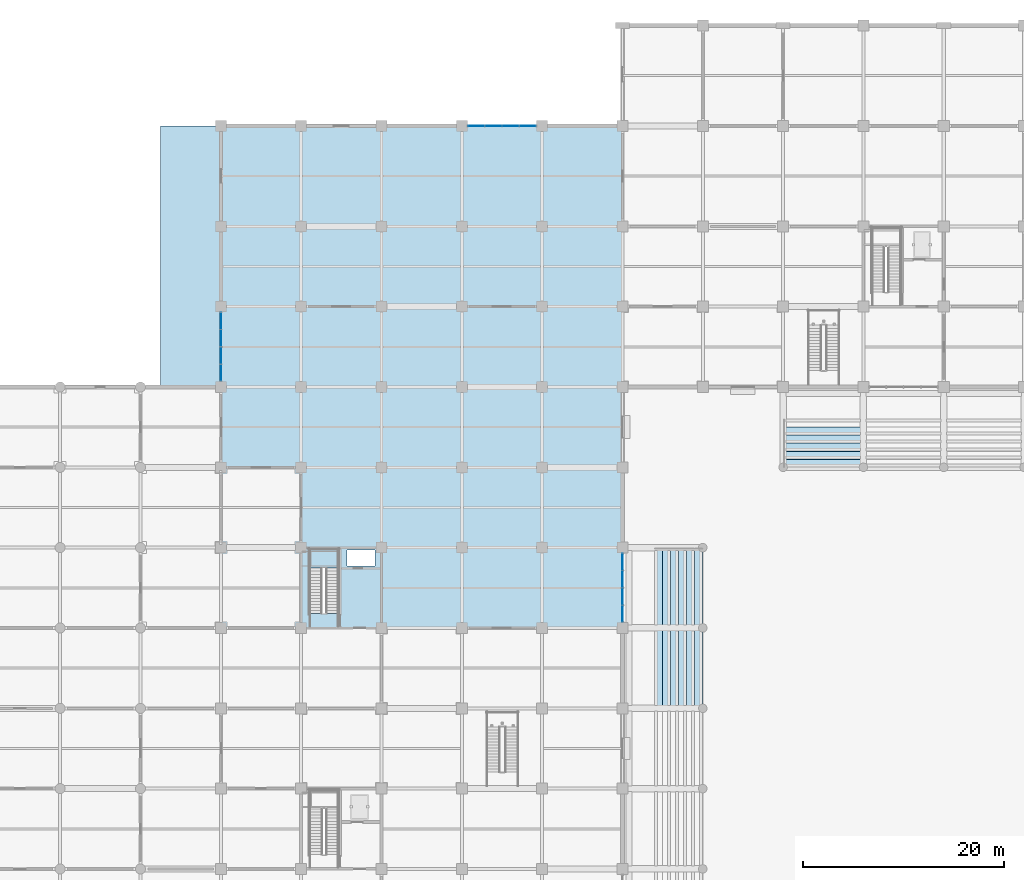
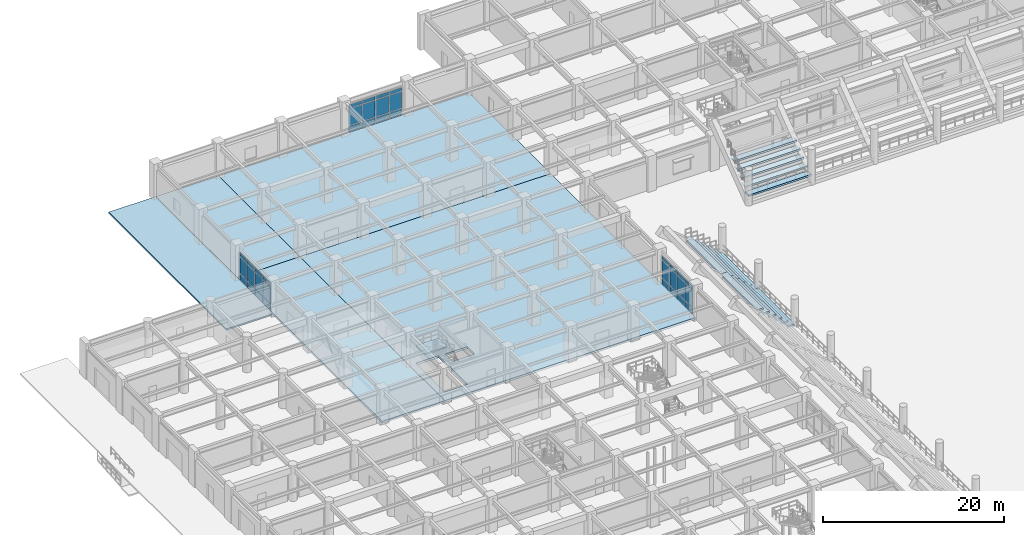
# One storey, part 68 of 125: 36 plates, 23 slabs, 4 elements without a shape of their own.
"""IFC4 building model written with IfcOpenShell, lengths in metres."""

from ifc_helpers import new_model, si_unit, direction, frame, origin, origin_2d, place, context, subcontext, project, spatial, polyline, rectangle, outline, extrude, material, layer, layer_set, type_object, element, aggregate, save


model = new_model("IFC4")

# Units and contexts
model_context = context("Model", 3, precision=1e-05, world=origin(), true_north=direction((0.0, 1.0)))
body_context = subcontext(model_context, "Body", "Model", "MODEL_VIEW")
ifc_project = project(units=[si_unit("LENGTHUNIT", "METRE"), si_unit("AREAUNIT", "SQUARE_METRE"), si_unit("VOLUMEUNIT", "CUBIC_METRE"), si_unit("PLANEANGLEUNIT", "RADIAN"), si_unit("MASSUNIT", "GRAM", prefix="KILO")], contexts=[model_context])

# Site, building, storey
site_placement = place(None, origin())
site = spatial("IfcSite", under=ifc_project, at=site_placement, CompositionType="ELEMENT")
building_placement = place(site_placement, origin())
building = spatial("IfcBuilding", under=site, at=building_placement, Name="Haebicheon Civic Stadium", CompositionType="ELEMENT")
storey_placement = place(building_placement, origin())
storey = spatial("IfcBuildingStorey", under=building, at=storey_placement, Name="L01", CompositionType="ELEMENT", Elevation=0.0)

# Curtain wall, plates
ifc_material_1 = material(Name="Anodised aluminium and laminated glass", Category="aluminium")
ifc_layer_1 = layer(ifc_material_1, 0.179931640625, Name="Anodised aluminium and laminated glass")
ifc_layer_set_1 = layer_set([ifc_layer_1], Name="Anodised aluminium and laminated glass")
curtain_wall_type_1 = type_object("IfcCurtainWallType", Name="CW-6900x3770", PredefinedType="NOTDEFINED", material=ifc_layer_set_1)
curtain_wall_1_placement = place(storey_placement, origin())
curtain_wall_1 = element("IfcCurtainWall", 1, at=curtain_wall_1_placement, inside=storey, type_object=curtain_wall_type_1, material=ifc_layer_set_1, Name="L01 unitised curtain wall 003", PredefinedType="NOTDEFINED")
ifc_material_2 = material(Name="Double low-e laminated glass", Category="glass")
ifc_layer_2 = layer(ifc_material_2, 0.028076171875, Name="Double low-e laminated glass")
ifc_layer_set_2 = layer_set([ifc_layer_2], Name="Double low-e laminated glass")
plate_type_1 = type_object("IfcPlateType", Name="CWP-GLZ-28", PredefinedType="CURTAIN_PANEL", material=ifc_layer_set_2)
plate_1_placement = place(storey_placement, frame((24.0, 153.431884765625, 0.93994140625), z_axis=(0.0, 0.0, 1.0), x_axis=(0.0, 1.0, 0.0)))
plate_1 = element("IfcPlate", 2, at=plate_1_placement, type_object=plate_type_1, material=ifc_layer_set_2, Name="CW-L01-003 vision panel 1.2", PredefinedType="CURTAIN_PANEL", context=body_context, shape_type="SweptSolid", body=[
    extrude(rectangle(XDim=1.60498046875, YDim=0.028076171875, at=origin_2d()), origin(), (0.0, 0.0, 1.0), 2.239990234375),
])
plate_2_placement = place(storey_placement, frame((24.0, 155.137939453125, 0.93994140625), z_axis=(0.0, 0.0, 1.0), x_axis=(0.0, 1.0, 0.0)))
plate_2 = element("IfcPlate", 3, at=plate_2_placement, type_object=plate_type_1, material=ifc_layer_set_2, Name="CW-L01-003 vision panel 2.2", PredefinedType="CURTAIN_PANEL", context=body_context, shape_type="SweptSolid", body=[
    extrude(rectangle(XDim=1.64501953125, YDim=0.028076171875, at=origin_2d()), origin(), (0.0, 0.0, 1.0), 2.239990234375),
])
plate_3_placement = place(storey_placement, frame((24.0, 156.862060546875, 0.93994140625), z_axis=(0.0, 0.0, 1.0), x_axis=(0.0, 1.0, 0.0)))
plate_3 = element("IfcPlate", 4, at=plate_3_placement, type_object=plate_type_1, material=ifc_layer_set_2, Name="CW-L01-003 vision panel 3.2", PredefinedType="CURTAIN_PANEL", context=body_context, shape_type="SweptSolid", body=[
    extrude(rectangle(XDim=1.64501953125, YDim=0.028076171875, at=origin_2d()), origin(), (0.0, 0.0, 1.0), 2.239990234375),
])
plate_4_placement = place(storey_placement, frame((24.0, 158.568115234375, 0.93994140625), z_axis=(0.0, 0.0, 1.0), x_axis=(0.0, 1.0, 0.0)))
plate_4 = element("IfcPlate", 5, at=plate_4_placement, type_object=plate_type_1, material=ifc_layer_set_2, Name="CW-L01-003 vision panel 4.2", PredefinedType="CURTAIN_PANEL", context=body_context, shape_type="SweptSolid", body=[
    extrude(rectangle(XDim=1.60498046875, YDim=0.028076171875, at=origin_2d()), origin(), (0.0, 0.0, 1.0), 2.239990234375),
])

curtain_wall_2_placement = place(storey_placement, origin())
curtain_wall_2 = element("IfcCurtainWall", 6, at=curtain_wall_2_placement, inside=storey, type_object=curtain_wall_type_1, material=ifc_layer_set_1, Name="L01 unitised curtain wall 004", PredefinedType="NOTDEFINED")
plate_5_placement = place(storey_placement, frame((49.431884765625, 178.0, 0.93994140625), z_axis=(0.0, 0.0, 1.0), x_axis=(1.0, 0.0, 0.0)))
plate_5 = element("IfcPlate", 7, at=plate_5_placement, type_object=plate_type_1, material=ifc_layer_set_2, Name="CW-L01-004 vision panel 1.2", PredefinedType="CURTAIN_PANEL", context=body_context, shape_type="SweptSolid", body=[
    extrude(rectangle(XDim=1.60498046875, YDim=0.028076171875, at=origin_2d()), origin(), (0.0, 0.0, 1.0), 2.239990234375),
])
plate_6_placement = place(storey_placement, frame((51.136962890625, 178.0, 0.93994140625), z_axis=(0.0, 0.0, 1.0), x_axis=(1.0, 0.0, 0.0)))
plate_6 = element("IfcPlate", 8, at=plate_6_placement, type_object=plate_type_1, material=ifc_layer_set_2, Name="CW-L01-004 vision panel 2.2", PredefinedType="CURTAIN_PANEL", context=body_context, shape_type="SweptSolid", body=[
    extrude(rectangle(XDim=1.64501953125, YDim=0.028076171875, at=origin_2d()), origin(), (0.0, 0.0, 1.0), 2.239990234375),
])
plate_7_placement = place(storey_placement, frame((52.862060546875, 178.0, 0.93994140625), z_axis=(0.0, 0.0, 1.0), x_axis=(1.0, 0.0, 0.0)))
plate_7 = element("IfcPlate", 9, at=plate_7_placement, type_object=plate_type_1, material=ifc_layer_set_2, Name="CW-L01-004 vision panel 3.2", PredefinedType="CURTAIN_PANEL", context=body_context, shape_type="SweptSolid", body=[
    extrude(rectangle(XDim=1.64501953125, YDim=0.028076171875, at=origin_2d()), origin(), (0.0, 0.0, 1.0), 2.239990234375),
])
plate_8_placement = place(storey_placement, frame((54.568115234375, 178.0, 0.93994140625), z_axis=(0.0, 0.0, 1.0), x_axis=(1.0, 0.0, 0.0)))
plate_8 = element("IfcPlate", 10, at=plate_8_placement, type_object=plate_type_1, material=ifc_layer_set_2, Name="CW-L01-004 vision panel 4.2", PredefinedType="CURTAIN_PANEL", context=body_context, shape_type="SweptSolid", body=[
    extrude(rectangle(XDim=1.60498046875, YDim=0.028076171875, at=origin_2d()), origin(), (0.0, 0.0, 1.0), 2.239990234375),
])

ifc_material_3 = material(Name="Anodised aluminium and laminated glass", Category="aluminium")
ifc_layer_3 = layer(ifc_material_3, 0.179931640625, Name="Anodised aluminium and laminated glass")
ifc_layer_set_3 = layer_set([ifc_layer_3], Name="Anodised aluminium and laminated glass")
curtain_wall_type_2 = type_object("IfcCurtainWallType", Name="CW-6900x3870", PredefinedType="NOTDEFINED", material=ifc_layer_set_3)
curtain_wall_3_placement = place(storey_placement, origin())
curtain_wall_3 = element("IfcCurtainWall", 11, at=curtain_wall_3_placement, inside=storey, type_object=curtain_wall_type_2, material=ifc_layer_set_3, Name="L01 unitised curtain wall 008", PredefinedType="NOTDEFINED")
plate_9_placement = place(storey_placement, frame((64.0, 129.431884765625, 0.93994140625), z_axis=(0.0, 0.0, 1.0), x_axis=(0.0, 1.0, 0.0)))
plate_9 = element("IfcPlate", 12, at=plate_9_placement, type_object=plate_type_1, material=ifc_layer_set_2, Name="CW-L01-008 vision panel 1.2", PredefinedType="CURTAIN_PANEL", context=body_context, shape_type="SweptSolid", body=[
    extrude(rectangle(XDim=1.60498046875, YDim=0.028076171875, at=origin_2d()), origin(), (0.0, 0.0, 1.0), 2.340087890625),
])
plate_10_placement = place(storey_placement, frame((64.0, 131.137939453125, 0.93994140625), z_axis=(0.0, 0.0, 1.0), x_axis=(0.0, 1.0, 0.0)))
plate_10 = element("IfcPlate", 13, at=plate_10_placement, type_object=plate_type_1, material=ifc_layer_set_2, Name="CW-L01-008 vision panel 2.2", PredefinedType="CURTAIN_PANEL", context=body_context, shape_type="SweptSolid", body=[
    extrude(rectangle(XDim=1.64501953125, YDim=0.028076171875, at=origin_2d()), origin(), (0.0, 0.0, 1.0), 2.340087890625),
])
plate_11_placement = place(storey_placement, frame((64.0, 132.862060546875, 0.93994140625), z_axis=(0.0, 0.0, 1.0), x_axis=(0.0, 1.0, 0.0)))
plate_11 = element("IfcPlate", 14, at=plate_11_placement, type_object=plate_type_1, material=ifc_layer_set_2, Name="CW-L01-008 vision panel 3.2", PredefinedType="CURTAIN_PANEL", context=body_context, shape_type="SweptSolid", body=[
    extrude(rectangle(XDim=1.64501953125, YDim=0.028076171875, at=origin_2d()), origin(), (0.0, 0.0, 1.0), 2.340087890625),
])
plate_12_placement = place(storey_placement, frame((64.0, 134.568115234375, 0.93994140625), z_axis=(0.0, 0.0, 1.0), x_axis=(0.0, 1.0, 0.0)))
plate_12 = element("IfcPlate", 15, at=plate_12_placement, type_object=plate_type_1, material=ifc_layer_set_2, Name="CW-L01-008 vision panel 4.2", PredefinedType="CURTAIN_PANEL", context=body_context, shape_type="SweptSolid", body=[
    extrude(rectangle(XDim=1.60498046875, YDim=0.028076171875, at=origin_2d()), origin(), (0.0, 0.0, 1.0), 2.340087890625),
])

# Plate
ifc_material_4 = material(Name="Anodised aluminium 6063-T6", Category="aluminium")
ifc_layer_4 = layer(ifc_material_4, 0.0439453125, Name="Anodised aluminium 6063-T6")
ifc_layer_set_4 = layer_set([ifc_layer_4], Name="Anodised aluminium 6063-T6")
plate_type_2 = type_object("IfcPlateType", Name="CWP-SPD-44", PredefinedType="CURTAIN_PANEL", material=ifc_layer_set_4)
plate_13_placement = place(storey_placement, frame((24.0, 153.431884765625, 0.0400390625), z_axis=(0.0, 0.0, 1.0), x_axis=(0.0, 1.0, 0.0)))
plate_13 = element("IfcPlate", 16, at=plate_13_placement, type_object=plate_type_2, material=ifc_layer_set_4, Name="CW-L01-003 spandrel panel 1.1", PredefinedType="CURTAIN_PANEL", context=body_context, shape_type="SweptSolid", body=[
    extrude(rectangle(XDim=1.60498046875, YDim=0.0439453125, at=origin_2d()), origin(), (0.0, 0.0, 1.0), 0.820068359375),
])

plate_14_placement = place(storey_placement, frame((24.0, 153.431884765625, 3.26025390625), z_axis=(0.0, 0.0, 1.0), x_axis=(0.0, 1.0, 0.0)))
plate_14 = element("IfcPlate", 17, at=plate_14_placement, type_object=plate_type_2, material=ifc_layer_set_4, Name="CW-L01-003 spandrel panel 1.3", PredefinedType="CURTAIN_PANEL", context=body_context, shape_type="SweptSolid", body=[
    extrude(rectangle(XDim=1.60498046875, YDim=0.0439453125, at=origin_2d()), origin(), (0.0, 0.0, 1.0), 0.469970703125),
])

plate_15_placement = place(storey_placement, frame((24.0, 155.137939453125, 0.0400390625), z_axis=(0.0, 0.0, 1.0), x_axis=(0.0, 1.0, 0.0)))
plate_15 = element("IfcPlate", 18, at=plate_15_placement, type_object=plate_type_2, material=ifc_layer_set_4, Name="CW-L01-003 spandrel panel 2.1", PredefinedType="CURTAIN_PANEL", context=body_context, shape_type="SweptSolid", body=[
    extrude(rectangle(XDim=1.64501953125, YDim=0.0439453125, at=origin_2d()), origin(), (0.0, 0.0, 1.0), 0.820068359375),
])

plate_16_placement = place(storey_placement, frame((24.0, 155.137939453125, 3.26025390625), z_axis=(0.0, 0.0, 1.0), x_axis=(0.0, 1.0, 0.0)))
plate_16 = element("IfcPlate", 19, at=plate_16_placement, type_object=plate_type_2, material=ifc_layer_set_4, Name="CW-L01-003 spandrel panel 2.3", PredefinedType="CURTAIN_PANEL", context=body_context, shape_type="SweptSolid", body=[
    extrude(rectangle(XDim=1.64501953125, YDim=0.0439453125, at=origin_2d()), origin(), (0.0, 0.0, 1.0), 0.469970703125),
])

plate_17_placement = place(storey_placement, frame((24.0, 156.862060546875, 0.0400390625), z_axis=(0.0, 0.0, 1.0), x_axis=(0.0, 1.0, 0.0)))
plate_17 = element("IfcPlate", 20, at=plate_17_placement, type_object=plate_type_2, material=ifc_layer_set_4, Name="CW-L01-003 spandrel panel 3.1", PredefinedType="CURTAIN_PANEL", context=body_context, shape_type="SweptSolid", body=[
    extrude(rectangle(XDim=1.64501953125, YDim=0.0439453125, at=origin_2d()), origin(), (0.0, 0.0, 1.0), 0.820068359375),
])

plate_18_placement = place(storey_placement, frame((24.0, 156.862060546875, 3.26025390625), z_axis=(0.0, 0.0, 1.0), x_axis=(0.0, 1.0, 0.0)))
plate_18 = element("IfcPlate", 21, at=plate_18_placement, type_object=plate_type_2, material=ifc_layer_set_4, Name="CW-L01-003 spandrel panel 3.3", PredefinedType="CURTAIN_PANEL", context=body_context, shape_type="SweptSolid", body=[
    extrude(rectangle(XDim=1.64501953125, YDim=0.0439453125, at=origin_2d()), origin(), (0.0, 0.0, 1.0), 0.469970703125),
])

plate_19_placement = place(storey_placement, frame((24.0, 158.568115234375, 0.0400390625), z_axis=(0.0, 0.0, 1.0), x_axis=(0.0, 1.0, 0.0)))
plate_19 = element("IfcPlate", 22, at=plate_19_placement, type_object=plate_type_2, material=ifc_layer_set_4, Name="CW-L01-003 spandrel panel 4.1", PredefinedType="CURTAIN_PANEL", context=body_context, shape_type="SweptSolid", body=[
    extrude(rectangle(XDim=1.60498046875, YDim=0.0439453125, at=origin_2d()), origin(), (0.0, 0.0, 1.0), 0.820068359375),
])

plate_20_placement = place(storey_placement, frame((24.0, 158.568115234375, 3.26025390625), z_axis=(0.0, 0.0, 1.0), x_axis=(0.0, 1.0, 0.0)))
plate_20 = element("IfcPlate", 23, at=plate_20_placement, type_object=plate_type_2, material=ifc_layer_set_4, Name="CW-L01-003 spandrel panel 4.3", PredefinedType="CURTAIN_PANEL", context=body_context, shape_type="SweptSolid", body=[
    extrude(rectangle(XDim=1.60498046875, YDim=0.0439453125, at=origin_2d()), origin(), (0.0, 0.0, 1.0), 0.469970703125),
])

aggregate(curtain_wall_1, [plate_13, plate_1, plate_14, plate_15, plate_2, plate_16, plate_17, plate_3, plate_18, plate_19, plate_4, plate_20])

plate_21_placement = place(storey_placement, frame((49.431884765625, 178.0, 0.0400390625), z_axis=(0.0, 0.0, 1.0), x_axis=(1.0, 0.0, 0.0)))
plate_21 = element("IfcPlate", 24, at=plate_21_placement, type_object=plate_type_2, material=ifc_layer_set_4, Name="CW-L01-004 spandrel panel 1.1", PredefinedType="CURTAIN_PANEL", context=body_context, shape_type="SweptSolid", body=[
    extrude(rectangle(XDim=1.60498046875, YDim=0.0439453125, at=origin_2d()), origin(), (0.0, 0.0, 1.0), 0.820068359375),
])

plate_22_placement = place(storey_placement, frame((49.431884765625, 178.0, 3.26025390625), z_axis=(0.0, 0.0, 1.0), x_axis=(1.0, 0.0, 0.0)))
plate_22 = element("IfcPlate", 25, at=plate_22_placement, type_object=plate_type_2, material=ifc_layer_set_4, Name="CW-L01-004 spandrel panel 1.3", PredefinedType="CURTAIN_PANEL", context=body_context, shape_type="SweptSolid", body=[
    extrude(rectangle(XDim=1.60498046875, YDim=0.0439453125, at=origin_2d()), origin(), (0.0, 0.0, 1.0), 0.469970703125),
])

plate_23_placement = place(storey_placement, frame((51.136962890625, 178.0, 0.0400390625), z_axis=(0.0, 0.0, 1.0), x_axis=(1.0, 0.0, 0.0)))
plate_23 = element("IfcPlate", 26, at=plate_23_placement, type_object=plate_type_2, material=ifc_layer_set_4, Name="CW-L01-004 spandrel panel 2.1", PredefinedType="CURTAIN_PANEL", context=body_context, shape_type="SweptSolid", body=[
    extrude(rectangle(XDim=1.64501953125, YDim=0.0439453125, at=origin_2d()), origin(), (0.0, 0.0, 1.0), 0.820068359375),
])

plate_24_placement = place(storey_placement, frame((51.136962890625, 178.0, 3.26025390625), z_axis=(0.0, 0.0, 1.0), x_axis=(1.0, 0.0, 0.0)))
plate_24 = element("IfcPlate", 27, at=plate_24_placement, type_object=plate_type_2, material=ifc_layer_set_4, Name="CW-L01-004 spandrel panel 2.3", PredefinedType="CURTAIN_PANEL", context=body_context, shape_type="SweptSolid", body=[
    extrude(rectangle(XDim=1.64501953125, YDim=0.0439453125, at=origin_2d()), origin(), (0.0, 0.0, 1.0), 0.469970703125),
])

plate_25_placement = place(storey_placement, frame((52.862060546875, 178.0, 0.0400390625), z_axis=(0.0, 0.0, 1.0), x_axis=(1.0, 0.0, 0.0)))
plate_25 = element("IfcPlate", 28, at=plate_25_placement, type_object=plate_type_2, material=ifc_layer_set_4, Name="CW-L01-004 spandrel panel 3.1", PredefinedType="CURTAIN_PANEL", context=body_context, shape_type="SweptSolid", body=[
    extrude(rectangle(XDim=1.64501953125, YDim=0.0439453125, at=origin_2d()), origin(), (0.0, 0.0, 1.0), 0.820068359375),
])

plate_26_placement = place(storey_placement, frame((52.862060546875, 178.0, 3.26025390625), z_axis=(0.0, 0.0, 1.0), x_axis=(1.0, 0.0, 0.0)))
plate_26 = element("IfcPlate", 29, at=plate_26_placement, type_object=plate_type_2, material=ifc_layer_set_4, Name="CW-L01-004 spandrel panel 3.3", PredefinedType="CURTAIN_PANEL", context=body_context, shape_type="SweptSolid", body=[
    extrude(rectangle(XDim=1.64501953125, YDim=0.0439453125, at=origin_2d()), origin(), (0.0, 0.0, 1.0), 0.469970703125),
])

plate_27_placement = place(storey_placement, frame((54.568115234375, 178.0, 0.0400390625), z_axis=(0.0, 0.0, 1.0), x_axis=(1.0, 0.0, 0.0)))
plate_27 = element("IfcPlate", 30, at=plate_27_placement, type_object=plate_type_2, material=ifc_layer_set_4, Name="CW-L01-004 spandrel panel 4.1", PredefinedType="CURTAIN_PANEL", context=body_context, shape_type="SweptSolid", body=[
    extrude(rectangle(XDim=1.60498046875, YDim=0.0439453125, at=origin_2d()), origin(), (0.0, 0.0, 1.0), 0.820068359375),
])

plate_28_placement = place(storey_placement, frame((54.568115234375, 178.0, 3.26025390625), z_axis=(0.0, 0.0, 1.0), x_axis=(1.0, 0.0, 0.0)))
plate_28 = element("IfcPlate", 31, at=plate_28_placement, type_object=plate_type_2, material=ifc_layer_set_4, Name="CW-L01-004 spandrel panel 4.3", PredefinedType="CURTAIN_PANEL", context=body_context, shape_type="SweptSolid", body=[
    extrude(rectangle(XDim=1.60498046875, YDim=0.0439453125, at=origin_2d()), origin(), (0.0, 0.0, 1.0), 0.469970703125),
])

aggregate(curtain_wall_2, [plate_21, plate_5, plate_22, plate_23, plate_6, plate_24, plate_25, plate_7, plate_26, plate_27, plate_8, plate_28])

plate_29_placement = place(storey_placement, frame((64.0, 129.431884765625, 0.0400390625), z_axis=(0.0, 0.0, 1.0), x_axis=(0.0, 1.0, 0.0)))
plate_29 = element("IfcPlate", 32, at=plate_29_placement, type_object=plate_type_2, material=ifc_layer_set_4, Name="CW-L01-008 spandrel panel 1.1", PredefinedType="CURTAIN_PANEL", context=body_context, shape_type="SweptSolid", body=[
    extrude(rectangle(XDim=1.60498046875, YDim=0.0439453125, at=origin_2d()), origin(), (0.0, 0.0, 1.0), 0.820068359375),
])

plate_30_placement = place(storey_placement, frame((64.0, 129.431884765625, 3.35986328125), z_axis=(0.0, 0.0, 1.0), x_axis=(0.0, 1.0, 0.0)))
plate_30 = element("IfcPlate", 33, at=plate_30_placement, type_object=plate_type_2, material=ifc_layer_set_4, Name="CW-L01-008 spandrel panel 1.3", PredefinedType="CURTAIN_PANEL", context=body_context, shape_type="SweptSolid", body=[
    extrude(rectangle(XDim=1.60498046875, YDim=0.0439453125, at=origin_2d()), origin(), (0.0, 0.0, 1.0), 0.469970703125),
])

plate_31_placement = place(storey_placement, frame((64.0, 131.137939453125, 0.0400390625), z_axis=(0.0, 0.0, 1.0), x_axis=(0.0, 1.0, 0.0)))
plate_31 = element("IfcPlate", 34, at=plate_31_placement, type_object=plate_type_2, material=ifc_layer_set_4, Name="CW-L01-008 spandrel panel 2.1", PredefinedType="CURTAIN_PANEL", context=body_context, shape_type="SweptSolid", body=[
    extrude(rectangle(XDim=1.64501953125, YDim=0.0439453125, at=origin_2d()), origin(), (0.0, 0.0, 1.0), 0.820068359375),
])

plate_32_placement = place(storey_placement, frame((64.0, 131.137939453125, 3.35986328125), z_axis=(0.0, 0.0, 1.0), x_axis=(0.0, 1.0, 0.0)))
plate_32 = element("IfcPlate", 35, at=plate_32_placement, type_object=plate_type_2, material=ifc_layer_set_4, Name="CW-L01-008 spandrel panel 2.3", PredefinedType="CURTAIN_PANEL", context=body_context, shape_type="SweptSolid", body=[
    extrude(rectangle(XDim=1.64501953125, YDim=0.0439453125, at=origin_2d()), origin(), (0.0, 0.0, 1.0), 0.469970703125),
])

plate_33_placement = place(storey_placement, frame((64.0, 132.862060546875, 0.0400390625), z_axis=(0.0, 0.0, 1.0), x_axis=(0.0, 1.0, 0.0)))
plate_33 = element("IfcPlate", 36, at=plate_33_placement, type_object=plate_type_2, material=ifc_layer_set_4, Name="CW-L01-008 spandrel panel 3.1", PredefinedType="CURTAIN_PANEL", context=body_context, shape_type="SweptSolid", body=[
    extrude(rectangle(XDim=1.64501953125, YDim=0.0439453125, at=origin_2d()), origin(), (0.0, 0.0, 1.0), 0.820068359375),
])

plate_34_placement = place(storey_placement, frame((64.0, 132.862060546875, 3.35986328125), z_axis=(0.0, 0.0, 1.0), x_axis=(0.0, 1.0, 0.0)))
plate_34 = element("IfcPlate", 37, at=plate_34_placement, type_object=plate_type_2, material=ifc_layer_set_4, Name="CW-L01-008 spandrel panel 3.3", PredefinedType="CURTAIN_PANEL", context=body_context, shape_type="SweptSolid", body=[
    extrude(rectangle(XDim=1.64501953125, YDim=0.0439453125, at=origin_2d()), origin(), (0.0, 0.0, 1.0), 0.469970703125),
])

plate_35_placement = place(storey_placement, frame((64.0, 134.568115234375, 0.0400390625), z_axis=(0.0, 0.0, 1.0), x_axis=(0.0, 1.0, 0.0)))
plate_35 = element("IfcPlate", 38, at=plate_35_placement, type_object=plate_type_2, material=ifc_layer_set_4, Name="CW-L01-008 spandrel panel 4.1", PredefinedType="CURTAIN_PANEL", context=body_context, shape_type="SweptSolid", body=[
    extrude(rectangle(XDim=1.60498046875, YDim=0.0439453125, at=origin_2d()), origin(), (0.0, 0.0, 1.0), 0.820068359375),
])

plate_36_placement = place(storey_placement, frame((64.0, 134.568115234375, 3.35986328125), z_axis=(0.0, 0.0, 1.0), x_axis=(0.0, 1.0, 0.0)))
plate_36 = element("IfcPlate", 39, at=plate_36_placement, type_object=plate_type_2, material=ifc_layer_set_4, Name="CW-L01-008 spandrel panel 4.3", PredefinedType="CURTAIN_PANEL", context=body_context, shape_type="SweptSolid", body=[
    extrude(rectangle(XDim=1.60498046875, YDim=0.0439453125, at=origin_2d()), origin(), (0.0, 0.0, 1.0), 0.469970703125),
])

aggregate(curtain_wall_3, [plate_29, plate_9, plate_30, plate_31, plate_10, plate_32, plate_33, plate_11, plate_34, plate_35, plate_12, plate_36])

# Slabs
ifc_material_5 = material(Name="Concrete C40/50", Category="concrete")
ifc_layer_5 = layer(ifc_material_5, 0.300048828125, Name="Concrete C40/50")
ifc_layer_set_5 = layer_set([ifc_layer_5], Name="Concrete C40/50")
slab_type_1 = type_object("IfcSlabType", Name="SLB-FLR-300", PredefinedType="FLOOR", material=ifc_layer_set_5)
slab_1_placement = place(storey_placement, frame((0.0, 0.0, -0.300048828125)))
element("IfcSlab", 40, at=slab_1_placement, inside=storey, type_object=slab_type_1, material=ifc_layer_set_5, Name="L01 V1 structural slab 5.1", PredefinedType="FLOOR", context=body_context, shape_type="SweptSolid", body=[
    extrude(outline(polyline([(24.0, 128.0), (24.0, 136.0), (24.0, 144.0), (24.0, 152.0), (24.0, 160.0), (32.0, 160.0), (32.0, 152.0), (32.0, 144.0), (32.0, 136.0), (32.0, 128.0), (24.0, 128.0)])), origin(), (0.0, 0.0, 1.0), 0.300048828125),
])
slab_2_placement = place(storey_placement, frame((0.0, 0.0, -0.300048828125)))
element("IfcSlab", 41, at=slab_2_placement, inside=storey, type_object=slab_type_1, material=ifc_layer_set_5, Name="L01 V1 structural slab 6.1", PredefinedType="FLOOR", context=body_context, shape_type="SweptSolid", body=[
    extrude(outline(polyline([(32.0, 160.0), (24.0, 160.0), (24.0, 168.0), (24.0, 178.0), (32.0, 178.0), (32.0, 168.0), (32.0, 160.0)])), origin(), (0.0, 0.0, 1.0), 0.300048828125),
])
slab_3_placement = place(storey_placement, frame((0.0, 0.0, -0.300048828125)))
element("IfcSlab", 42, at=slab_3_placement, inside=storey, type_object=slab_type_1, material=ifc_layer_set_5, Name="L01 V1 structural slab 11.1", PredefinedType="FLOOR", context=body_context, shape_type="SweptSolid", body=[
    extrude(outline(polyline([(32.0, 152.0), (32.0, 160.0), (40.0, 160.0), (48.0, 160.0), (56.0, 160.0), (64.0, 160.0), (64.0, 152.0), (64.0, 144.0), (64.0, 136.0), (64.0, 128.0), (56.0, 128.0), (48.0, 128.0), (40.0, 128.0), (32.0, 128.0), (32.0, 136.0), (32.0, 144.0), (32.0, 152.0)]), holes=[polyline([(32.840087890625, 129.4599609375), (35.739990234375, 129.4599609375), (35.739990234375, 135.840087890625), (32.840087890625, 135.840087890625), (32.840087890625, 129.4599609375)]), polyline([(36.550048828125, 134.14990234375), (39.35009765625, 134.14990234375), (39.35009765625, 135.75), (36.550048828125, 135.75), (36.550048828125, 134.14990234375)])]), origin(), (0.0, 0.0, 1.0), 0.300048828125),
])
slab_4_placement = place(storey_placement, frame((0.0, 0.0, -0.300048828125)))
element("IfcSlab", 43, at=slab_4_placement, inside=storey, type_object=slab_type_1, material=ifc_layer_set_5, Name="L01 V1 structural slab 12.1", PredefinedType="FLOOR", context=body_context, shape_type="SweptSolid", body=[
    extrude(outline(polyline([(64.0, 160.0), (56.0, 160.0), (48.0, 160.0), (40.0, 160.0), (32.0, 160.0), (32.0, 168.0), (32.0, 178.0), (40.0, 178.0), (48.0, 178.0), (56.0, 178.0), (64.0, 178.0), (64.0, 168.0), (64.0, 160.0)])), origin(), (0.0, 0.0, 1.0), 0.300048828125),
])

# Stair, slab
ifc_material_6 = material(Name="Concrete C40/50", Category="concrete")
stair_type = type_object("IfcStairType", Name="STR-DL-W126-H48", PredefinedType="HALF_TURN_STAIR", material=ifc_material_6)
stair_placement = place(storey_placement, origin())
stair = element("IfcStair", 44, at=stair_placement, inside=storey, type_object=stair_type, material=ifc_material_6, Name="L01 Escape stair ST-05", PredefinedType="HALF_TURN_STAIR")
ifc_material_7 = material(Name="Concrete C40/50", Category="concrete")
ifc_layer_6 = layer(ifc_material_7, 0.199951171875, Name="Concrete C40/50")
ifc_layer_set_6 = layer_set([ifc_layer_6], Name="Concrete C40/50")
slab_type_2 = type_object("IfcSlabType", Name="SLB-LND-200", PredefinedType="LANDING", material=ifc_layer_set_6)
slab_5_placement = place(storey_placement, frame((0.0, 0.0, 2.199951171875)))
slab_5 = element("IfcSlab", 45, at=slab_5_placement, type_object=slab_type_2, material=ifc_layer_set_6, Name="ST-05 landing 1", PredefinedType="LANDING", context=body_context, shape_type="SweptSolid", body=[
    extrude(outline(polyline([(35.739990234375, 133.949951171875), (35.739990234375, 135.840087890625), (32.840087890625, 135.840087890625), (32.840087890625, 133.949951171875), (35.739990234375, 133.949951171875)])), origin(), (0.0, 0.0, 1.0), 0.199951171875),
])
aggregate(stair, [slab_5])

# Slabs
ifc_material_8 = material(Name="Precast concrete C35/45", Category="concrete")
ifc_layer_7 = layer(ifc_material_8, 0.199951171875, Name="Precast concrete C35/45")
ifc_layer_set_7 = layer_set([ifc_layer_7], Name="Precast concrete C35/45")
slab_type_3 = type_object("IfcSlabType", Name="SLB-PAV-200", PredefinedType="BASESLAB", material=ifc_layer_set_7)
slab_6_placement = place(storey_placement, frame((0.0, 0.0, -0.199951171875)))
element("IfcSlab", 46, at=slab_6_placement, inside=storey, type_object=slab_type_3, material=ifc_layer_set_7, Name="Exterior plaza paving apron APR-WEST-N", PredefinedType="BASESLAB", context=body_context, shape_type="SweptSolid", body=[
    extrude(outline(polyline([(18.0, 178.0), (23.9951171875, 178.0), (23.9951171875, 152.0048828125), (18.0, 152.0048828125), (18.0, 178.0)])), origin(), (0.0, 0.0, 1.0), 0.199951171875),
])
ifc_material_9 = material(Name="Precast concrete C40/50", Category="concrete")
ifc_layer_8 = layer(ifc_material_9, 0.239990234375, Name="Precast concrete C40/50")
ifc_layer_set_8 = layer_set([ifc_layer_8], Name="Precast concrete C40/50")
slab_type_4 = type_object("IfcSlabType", Name="SLB-TIER-240", PredefinedType="USERDEFINED", material=ifc_layer_set_8)
slab_7_placement = place(storey_placement, frame((0.0, 0.0, 0.9599609375)))
element("IfcSlab", 47, at=slab_7_placement, inside=storey, type_object=slab_type_4, material=ifc_layer_set_8, Name="TIER-W-L precast seating tier bay 10 row-band 1", ObjectType="SEATING TIER", PredefinedType="USERDEFINED", context=body_context, shape_type="SweptSolid", body=[
    extrude(outline(polyline([(71.199951171875, 120.0), (72.0, 120.0), (72.0, 128.0), (71.199951171875, 128.0), (71.199951171875, 120.0)])), origin(), (0.0, 0.0, 1.0), 0.239990234375),
])
slab_8_placement = place(storey_placement, frame((0.0, 0.0, 1.6708984375)))
element("IfcSlab", 48, at=slab_8_placement, inside=storey, type_object=slab_type_4, material=ifc_layer_set_8, Name="TIER-W-L precast seating tier bay 10 row-band 2", ObjectType="SEATING TIER", PredefinedType="USERDEFINED", context=body_context, shape_type="SweptSolid", body=[
    extrude(outline(polyline([(70.39990234375, 120.0), (71.199951171875, 120.0), (71.199951171875, 128.0), (70.39990234375, 128.0), (70.39990234375, 120.0)])), origin(), (0.0, 0.0, 1.0), 0.239990234375),
])
slab_9_placement = place(storey_placement, frame((0.0, 0.0, 2.382080078125)))
element("IfcSlab", 49, at=slab_9_placement, inside=storey, type_object=slab_type_4, material=ifc_layer_set_8, Name="TIER-W-L precast seating tier bay 10 row-band 3", ObjectType="SEATING TIER", PredefinedType="USERDEFINED", context=body_context, shape_type="SweptSolid", body=[
    extrude(outline(polyline([(69.60009765625, 120.0), (70.39990234375, 120.0), (70.39990234375, 128.0), (69.60009765625, 128.0), (69.60009765625, 120.0)])), origin(), (0.0, 0.0, 1.0), 0.239990234375),
])
slab_10_placement = place(storey_placement, frame((0.0, 0.0, 3.093017578125)))
element("IfcSlab", 50, at=slab_10_placement, inside=storey, type_object=slab_type_4, material=ifc_layer_set_8, Name="TIER-W-L precast seating tier bay 10 row-band 4", ObjectType="SEATING TIER", PredefinedType="USERDEFINED", context=body_context, shape_type="SweptSolid", body=[
    extrude(outline(polyline([(68.800048828125, 120.0), (69.60009765625, 120.0), (69.60009765625, 128.0), (68.800048828125, 128.0), (68.800048828125, 120.0)])), origin(), (0.0, 0.0, 1.0), 0.239990234375),
])
slab_11_placement = place(storey_placement, frame((0.0, 0.0, 3.803955078125)))
element("IfcSlab", 51, at=slab_11_placement, inside=storey, type_object=slab_type_4, material=ifc_layer_set_8, Name="TIER-W-L precast seating tier bay 10 row-band 5", ObjectType="SEATING TIER", PredefinedType="USERDEFINED", context=body_context, shape_type="SweptSolid", body=[
    extrude(outline(polyline([(68.0, 120.0), (68.800048828125, 120.0), (68.800048828125, 128.0), (68.0, 128.0), (68.0, 120.0)])), origin(), (0.0, 0.0, 1.0), 0.239990234375),
])
slab_12_placement = place(storey_placement, frame((0.0, 0.0, 4.51611328125)))
element("IfcSlab", 52, at=slab_12_placement, inside=storey, type_object=slab_type_4, material=ifc_layer_set_8, Name="TIER-W-L precast seating tier bay 10 row-band 6", ObjectType="SEATING TIER", PredefinedType="USERDEFINED", context=body_context, shape_type="SweptSolid", body=[
    extrude(outline(polyline([(67.199951171875, 120.0), (68.0, 120.0), (68.0, 128.0), (67.199951171875, 128.0), (67.199951171875, 120.0)])), origin(), (0.0, 0.0, 1.0), 0.239990234375),
])
slab_13_placement = place(storey_placement, frame((0.0, 0.0, 0.9599609375)))
element("IfcSlab", 53, at=slab_13_placement, inside=storey, type_object=slab_type_4, material=ifc_layer_set_8, Name="TIER-W-L precast seating tier bay 11 row-band 1", ObjectType="SEATING TIER", PredefinedType="USERDEFINED", context=body_context, shape_type="SweptSolid", body=[
    extrude(outline(polyline([(71.199951171875, 128.0), (72.0, 128.0), (72.0, 136.0), (71.199951171875, 136.0), (71.199951171875, 128.0)])), origin(), (0.0, 0.0, 1.0), 0.239990234375),
])
slab_14_placement = place(storey_placement, frame((0.0, 0.0, 1.6708984375)))
element("IfcSlab", 54, at=slab_14_placement, inside=storey, type_object=slab_type_4, material=ifc_layer_set_8, Name="TIER-W-L precast seating tier bay 11 row-band 2", ObjectType="SEATING TIER", PredefinedType="USERDEFINED", context=body_context, shape_type="SweptSolid", body=[
    extrude(outline(polyline([(70.39990234375, 128.0), (71.199951171875, 128.0), (71.199951171875, 136.0), (70.39990234375, 136.0), (70.39990234375, 128.0)])), origin(), (0.0, 0.0, 1.0), 0.239990234375),
])
slab_15_placement = place(storey_placement, frame((0.0, 0.0, 2.382080078125)))
element("IfcSlab", 55, at=slab_15_placement, inside=storey, type_object=slab_type_4, material=ifc_layer_set_8, Name="TIER-W-L precast seating tier bay 11 row-band 3", ObjectType="SEATING TIER", PredefinedType="USERDEFINED", context=body_context, shape_type="SweptSolid", body=[
    extrude(outline(polyline([(69.60009765625, 128.0), (70.39990234375, 128.0), (70.39990234375, 136.0), (69.60009765625, 136.0), (69.60009765625, 128.0)])), origin(), (0.0, 0.0, 1.0), 0.239990234375),
])
slab_16_placement = place(storey_placement, frame((0.0, 0.0, 3.093017578125)))
element("IfcSlab", 56, at=slab_16_placement, inside=storey, type_object=slab_type_4, material=ifc_layer_set_8, Name="TIER-W-L precast seating tier bay 11 row-band 4", ObjectType="SEATING TIER", PredefinedType="USERDEFINED", context=body_context, shape_type="SweptSolid", body=[
    extrude(outline(polyline([(68.800048828125, 128.0), (69.60009765625, 128.0), (69.60009765625, 136.0), (68.800048828125, 136.0), (68.800048828125, 128.0)])), origin(), (0.0, 0.0, 1.0), 0.239990234375),
])
slab_17_placement = place(storey_placement, frame((0.0, 0.0, 3.803955078125)))
element("IfcSlab", 57, at=slab_17_placement, inside=storey, type_object=slab_type_4, material=ifc_layer_set_8, Name="TIER-W-L precast seating tier bay 11 row-band 5", ObjectType="SEATING TIER", PredefinedType="USERDEFINED", context=body_context, shape_type="SweptSolid", body=[
    extrude(outline(polyline([(68.0, 128.0), (68.800048828125, 128.0), (68.800048828125, 136.0), (68.0, 136.0), (68.0, 128.0)])), origin(), (0.0, 0.0, 1.0), 0.239990234375),
])
slab_18_placement = place(storey_placement, frame((0.0, 0.0, 4.51611328125)))
element("IfcSlab", 58, at=slab_18_placement, inside=storey, type_object=slab_type_4, material=ifc_layer_set_8, Name="TIER-W-L precast seating tier bay 11 row-band 6", ObjectType="SEATING TIER", PredefinedType="USERDEFINED", context=body_context, shape_type="SweptSolid", body=[
    extrude(outline(polyline([(67.199951171875, 128.0), (68.0, 128.0), (68.0, 136.0), (67.199951171875, 136.0), (67.199951171875, 128.0)])), origin(), (0.0, 0.0, 1.0), 0.239990234375),
])
slab_19_placement = place(storey_placement, frame((0.0, 0.0, 0.9599609375)))
element("IfcSlab", 59, at=slab_19_placement, inside=storey, type_object=slab_type_4, material=ifc_layer_set_8, Name="TIER-N-L precast seating tier bay 1 row-band 1", ObjectType="SEATING TIER", PredefinedType="USERDEFINED", context=body_context, shape_type="SweptSolid", body=[
    extrude(outline(polyline([(80.0, 144.0), (88.0, 144.0), (88.0, 144.800048828125), (80.0, 144.800048828125), (80.0, 144.0)])), origin(), (0.0, 0.0, 1.0), 0.239990234375),
])
slab_20_placement = place(storey_placement, frame((0.0, 0.0, 1.626953125)))
element("IfcSlab", 60, at=slab_20_placement, inside=storey, type_object=slab_type_4, material=ifc_layer_set_8, Name="TIER-N-L precast seating tier bay 1 row-band 2", ObjectType="SEATING TIER", PredefinedType="USERDEFINED", context=body_context, shape_type="SweptSolid", body=[
    extrude(outline(polyline([(80.0, 144.800048828125), (88.0, 144.800048828125), (88.0, 145.60009765625), (80.0, 145.60009765625), (80.0, 144.800048828125)])), origin(), (0.0, 0.0, 1.0), 0.239990234375),
])
slab_21_placement = place(storey_placement, frame((0.0, 0.0, 2.29296875)))
element("IfcSlab", 61, at=slab_21_placement, inside=storey, type_object=slab_type_4, material=ifc_layer_set_8, Name="TIER-N-L precast seating tier bay 1 row-band 3", ObjectType="SEATING TIER", PredefinedType="USERDEFINED", context=body_context, shape_type="SweptSolid", body=[
    extrude(outline(polyline([(80.0, 145.60009765625), (88.0, 145.60009765625), (88.0, 146.39990234375), (80.0, 146.39990234375), (80.0, 145.60009765625)])), origin(), (0.0, 0.0, 1.0), 0.239990234375),
])
slab_22_placement = place(storey_placement, frame((0.0, 0.0, 2.9599609375)))
element("IfcSlab", 62, at=slab_22_placement, inside=storey, type_object=slab_type_4, material=ifc_layer_set_8, Name="TIER-N-L precast seating tier bay 1 row-band 4", ObjectType="SEATING TIER", PredefinedType="USERDEFINED", context=body_context, shape_type="SweptSolid", body=[
    extrude(outline(polyline([(80.0, 146.39990234375), (88.0, 146.39990234375), (88.0, 147.199951171875), (80.0, 147.199951171875), (80.0, 146.39990234375)])), origin(), (0.0, 0.0, 1.0), 0.239990234375),
])
slab_23_placement = place(storey_placement, frame((0.0, 0.0, 3.626953125)))
element("IfcSlab", 63, at=slab_23_placement, inside=storey, type_object=slab_type_4, material=ifc_layer_set_8, Name="TIER-N-L precast seating tier bay 1 row-band 5", ObjectType="SEATING TIER", PredefinedType="USERDEFINED", context=body_context, shape_type="SweptSolid", body=[
    extrude(outline(polyline([(80.0, 147.199951171875), (88.0, 147.199951171875), (88.0, 148.0), (80.0, 148.0), (80.0, 147.199951171875)])), origin(), (0.0, 0.0, 1.0), 0.239990234375),
])

save(model, "model.ifc")
